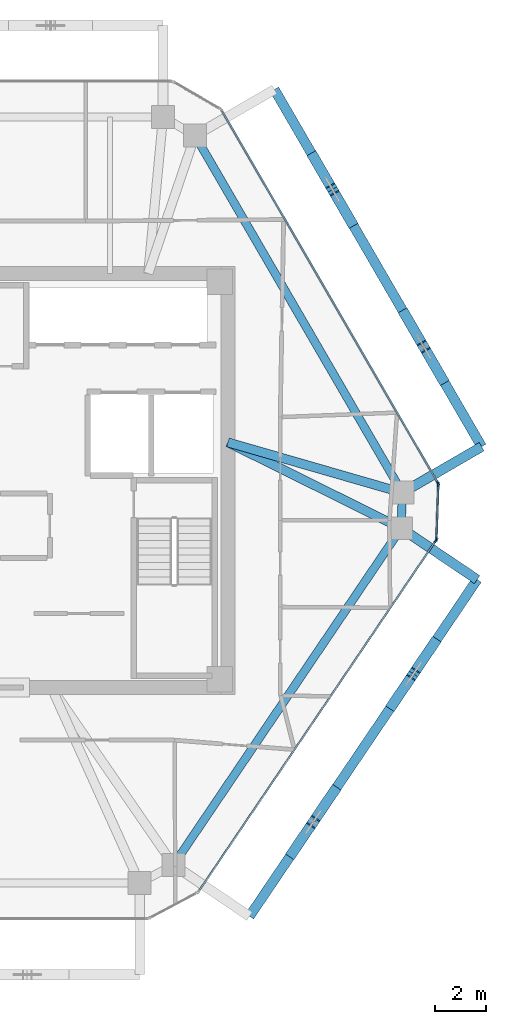
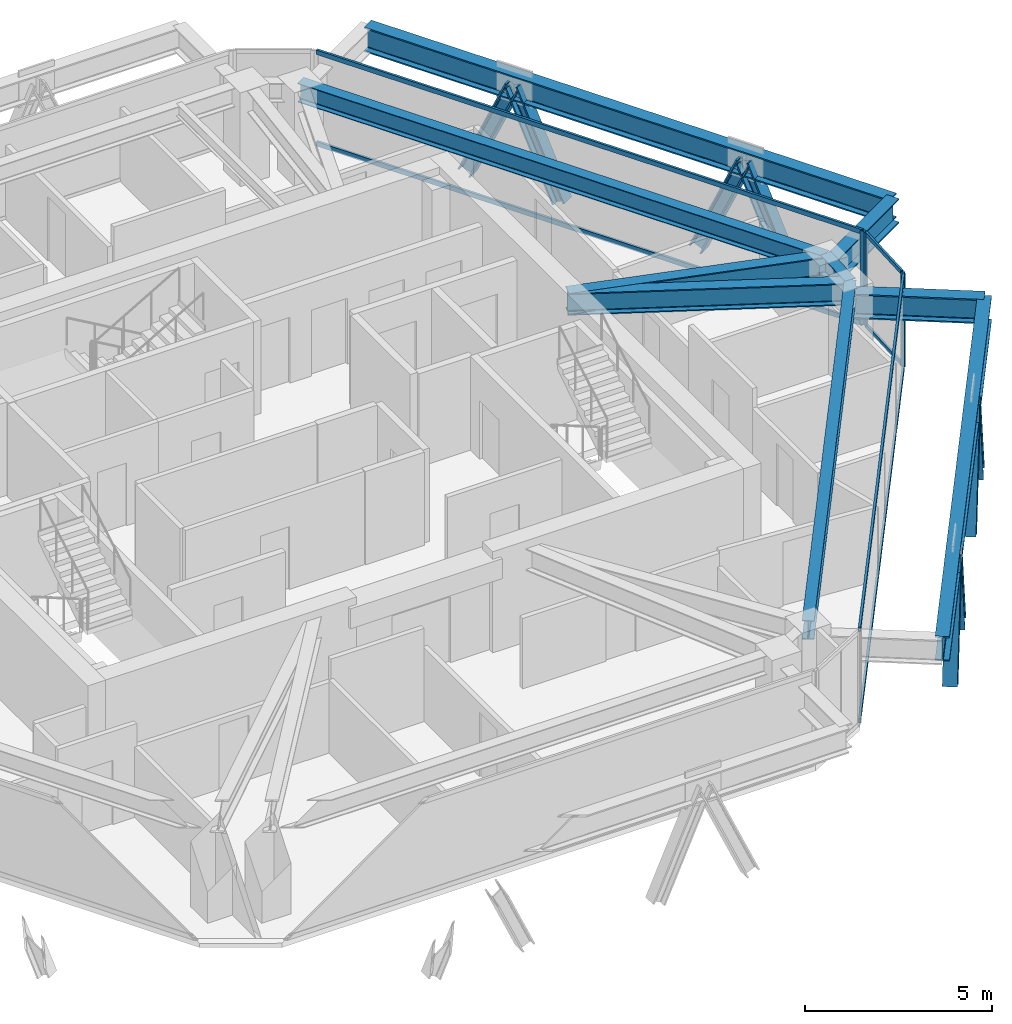
# One storey, part 5 of 13: 18 members, 9 beams, 3 elements without a shape of their own.
"""IFC4 building model written with IfcOpenShell, lengths in metres."""

from ifc_helpers import new_model, si_unit, direction, frame, origin, origin_2d, place, context, subcontext, project, spatial, rectangle, i_section, extrude, source, transform, mapped, material, layer, layer_set, material_profile, profile_set, type_object, type_shapes, element, aggregate, save


model = new_model("IFC4")

# Units and contexts
model_context = context("Model", 3, precision=1e-05, world=origin(), true_north=direction((0.0, 1.0)))
body_context = subcontext(model_context, "Body", "Model", "MODEL_VIEW")
ifc_project = project(units=[si_unit("LENGTHUNIT", "METRE"), si_unit("AREAUNIT", "SQUARE_METRE"), si_unit("VOLUMEUNIT", "CUBIC_METRE"), si_unit("PLANEANGLEUNIT", "RADIAN"), si_unit("MASSUNIT", "GRAM", prefix="KILO")], contexts=[model_context])

# Site, building, storey
site_placement = place(None, origin())
site = spatial("IfcSite", under=ifc_project, at=site_placement, CompositionType="ELEMENT")
building_placement = place(site_placement, origin())
building = spatial("IfcBuilding", under=site, at=building_placement, Name="Durnholm Broadcast Tower", CompositionType="ELEMENT")
storey_placement = place(building_placement, frame((0.0, 0.0, 228.199951171875)))
storey = spatial("IfcBuildingStorey", under=building, at=storey_placement, Name="L63", CompositionType="ELEMENT", Elevation=228.199951171875)

# Beams
ifc_material_1 = material(Name="Steel ASTM A992 Grade 50", Category="steel")
ifc_material_profile_1 = material_profile(ifc_material_1, i_section(OverallWidth=0.385009765625, OverallDepth=0.802978515625, WebThickness=0.023681640625, FlangeThickness=0.0419921875, FilletRadius=0.032958984375, at=origin_2d()), Name="W30X261")
ifc_profile_set_1 = profile_set([ifc_material_profile_1], Name="Steel ASTM A992 Grade 50")
beam_type_1 = type_object("IfcBeamType", Name="BM-EXO-TIE", PredefinedType="USERDEFINED", material=ifc_profile_set_1)
shared_shape_1 = source(origin(), body_context, "Body", "SweptSolid", [
    extrude(i_section(OverallWidth=0.385009765625, OverallDepth=0.802978515625, WebThickness=0.023681640625, FlangeThickness=0.0419921875, FilletRadius=0.032958984375, at=origin_2d()), origin(), (0.0, 0.0, 1.0), 3.4560546875),
])
beam_1_placement = place(storey_placement, frame((17.0947265625, -0.40380859375, 2.30859375), z_axis=(0.864924479231, 0.501902027518, 0.0), x_axis=(-0.501902027518, 0.864924479231, 0.0)))
element("IfcBeam", 1, at=beam_1_placement, inside=storey, type_object=beam_type_1, Name="L63 exoskeleton stand-off tie bracket F3.1", ObjectType="GIRDER", PredefinedType="USERDEFINED", context=body_context, shape_type="MappedRepresentation", body=[
    mapped(shared_shape_1, transform((0.0, 0.0, 0.0), x_axis=(1.0, 0.0, 0.0), y_axis=(0.0, 1.0, 0.0), z_axis=(0.0, 0.0, 1.0), scale=1.0)),
])
shared_shape_2 = source(origin(), body_context, "Body", "SweptSolid", [
    extrude(i_section(OverallWidth=0.385009765625, OverallDepth=0.802978515625, WebThickness=0.023681640625, FlangeThickness=0.0419921875, FilletRadius=0.032958984375, at=origin_2d()), origin(), (0.0, 0.0, 1.0), 3.455810546875),
])
beam_2_placement = place(storey_placement, frame((17.041748046875, -1.95068359375, 2.30859375), z_axis=(0.828446342252, -0.560068440469, 0.0), x_axis=(0.560068440469, 0.828446342252, 0.0)))
element("IfcBeam", 2, at=beam_2_placement, inside=storey, type_object=beam_type_1, Name="L63 exoskeleton stand-off tie bracket F2.2", ObjectType="GIRDER", PredefinedType="USERDEFINED", context=body_context, shape_type="MappedRepresentation", body=[
    mapped(shared_shape_2, transform((0.0, 0.0, 0.0), x_axis=(1.0, 0.0, 0.0), y_axis=(0.0, 1.0, 0.0), z_axis=(0.0, 0.0, 1.0), scale=1.0)),
])
ifc_material_profile_2 = material_profile(ifc_material_1, i_section(OverallWidth=0.3251953125, OverallDepth=0.6162109375, WebThickness=0.013916015625, FlangeThickness=0.021484375, FilletRadius=0.02783203125, at=origin_2d()), Name="W24X117")
ifc_profile_set_2 = profile_set([ifc_material_profile_2], Name="Steel ASTM A992 Grade 50")
beam_type_2 = type_object("IfcBeamType", Name="STL-SP-W24X117", PredefinedType="SPANDREL", material=ifc_profile_set_2)
shared_shape_3 = source(origin(), body_context, "Body", "SweptSolid", [
    extrude(i_section(OverallWidth=0.3251953125, OverallDepth=0.6162109375, WebThickness=0.013916015625, FlangeThickness=0.021484375, FilletRadius=0.02783203125, at=origin_2d()), origin(), (0.0, 0.0, 1.0), 1.39453125),
])
beam_3_placement = place(storey_placement, frame((16.97021484375, -0.47607421875, 2.737060546875), z_axis=(-0.034311541846, -0.999411185697, 0.0), x_axis=(0.999411185697, -0.034311541846, 0.0)))
element("IfcBeam", 3, at=beam_3_placement, inside=storey, type_object=beam_type_2, Name="L63 perimeter spandrel girder 08", PredefinedType="SPANDREL", context=body_context, shape_type="MappedRepresentation", body=[
    mapped(shared_shape_3, transform((0.0, 0.0, 0.0), x_axis=(1.0, 0.0, 0.0), y_axis=(0.0, 1.0, 0.0), z_axis=(0.0, 0.0, 1.0), scale=1.0)),
])
shared_shape_4 = source(origin(), body_context, "Body", "SweptSolid", [
    extrude(i_section(OverallWidth=0.3251953125, OverallDepth=0.6162109375, WebThickness=0.013916015625, FlangeThickness=0.021484375, FilletRadius=0.02783203125, at=origin_2d()), origin(), (0.0, 0.0, 1.0), 15.947265625),
])
beam_4_placement = place(storey_placement, frame((16.92236328125, -1.869873046875, 2.737060546875), z_axis=(-0.560062212489, -0.828450552623, 0.0), x_axis=(0.828450552623, -0.560062212489, 0.0)))
element("IfcBeam", 4, at=beam_4_placement, inside=storey, type_object=beam_type_2, Name="L63 perimeter spandrel girder 09", PredefinedType="SPANDREL", context=body_context, shape_type="MappedRepresentation", body=[
    mapped(shared_shape_4, transform((0.0, 0.0, 0.0), x_axis=(1.0, 0.0, 0.0), y_axis=(0.0, 1.0, 0.0), z_axis=(0.0, 0.0, 1.0), scale=1.0)),
])
shared_shape_5 = source(origin(), body_context, "Body", "SweptSolid", [
    extrude(i_section(OverallWidth=0.3251953125, OverallDepth=0.6162109375, WebThickness=0.013916015625, FlangeThickness=0.021484375, FilletRadius=0.02783203125, at=origin_2d()), origin(), (0.0, 0.0, 1.0), 16.20263671875),
])
type_shapes(beam_type_2, [shared_shape_3, shared_shape_4, shared_shape_5])
beam_5_placement = place(storey_placement, frame((8.83740234375, 13.53759765625, 2.737060546875), z_axis=(0.501943573333, -0.864900369516, 0.0), x_axis=(0.864900369516, 0.501943573333, 0.0)))
element("IfcBeam", 5, at=beam_5_placement, inside=storey, type_object=beam_type_2, Name="L63 perimeter spandrel girder 07", PredefinedType="SPANDREL", context=body_context, shape_type="MappedRepresentation", body=[
    mapped(shared_shape_5, transform((0.0, 0.0, 0.0), x_axis=(1.0, 0.0, 0.0), y_axis=(0.0, 1.0, 0.0), z_axis=(0.0, 0.0, 1.0), scale=1.0)),
])
shared_shape_6 = source(origin(), body_context, "Body", "SweptSolid", [
    extrude(i_section(OverallWidth=0.385009765625, OverallDepth=0.802978515625, WebThickness=0.023681640625, FlangeThickness=0.0419921875, FilletRadius=0.032958984375, at=origin_2d()), origin(), (0.0, 0.0, 1.0), 15.947021484375),
])
beam_6_placement = place(storey_placement, frame((10.973388671875, -17.097412109375, 2.30859375), z_axis=(0.560069315853, 0.828445750451, 0.0), x_axis=(-0.828445750451, 0.560069315853, 0.0)))
element("IfcBeam", 6, at=beam_6_placement, inside=storey, type_object=beam_type_1, Name="L63 exoskeleton collector spandrel F2", PredefinedType="SPANDREL", context=body_context, shape_type="MappedRepresentation", body=[
    mapped(shared_shape_6, transform((0.0, 0.0, 0.0), x_axis=(1.0, 0.0, 0.0), y_axis=(0.0, 1.0, 0.0), z_axis=(0.0, 0.0, 1.0), scale=1.0)),
])
shared_shape_7 = source(origin(), body_context, "Body", "SweptSolid", [
    extrude(i_section(OverallWidth=0.385009765625, OverallDepth=0.802978515625, WebThickness=0.023681640625, FlangeThickness=0.0419921875, FilletRadius=0.032958984375, at=origin_2d()), origin(), (0.0, 0.0, 1.0), 16.202880859375),
])
type_shapes(beam_type_1, [shared_shape_1, shared_shape_2, shared_shape_6, shared_shape_7])
beam_7_placement = place(storey_placement, frame((20.083984375, 1.330810546875, 2.30859375), z_axis=(-0.501948303381, 0.864897624423, 0.0), x_axis=(-0.864897624423, -0.501948303381, 0.0)))
element("IfcBeam", 7, at=beam_7_placement, inside=storey, type_object=beam_type_1, Name="L63 exoskeleton collector spandrel F3", PredefinedType="SPANDREL", context=body_context, shape_type="MappedRepresentation", body=[
    mapped(shared_shape_7, transform((0.0, 0.0, 0.0), x_axis=(1.0, 0.0, 0.0), y_axis=(0.0, 1.0, 0.0), z_axis=(0.0, 0.0, 1.0), scale=1.0)),
])
ifc_material_profile_3 = material_profile(ifc_material_1, i_section(OverallWidth=0.3564453125, OverallDepth=0.713623046875, WebThickness=0.01904296875, FlangeThickness=0.033935546875, FilletRadius=0.030517578125, at=origin_2d()), Name="W27X194")
ifc_profile_set_3 = profile_set([ifc_material_profile_3], Name="Steel ASTM A992 Grade 50")
beam_type_3 = type_object("IfcBeamType", Name="STL-GR-W27X194", PredefinedType="USERDEFINED", material=ifc_profile_set_3)
shared_shape_8 = source(origin(), body_context, "Body", "SweptSolid", [
    extrude(i_section(OverallWidth=0.3564453125, OverallDepth=0.713623046875, WebThickness=0.01904296875, FlangeThickness=0.033935546875, FilletRadius=0.030517578125, at=origin_2d()), origin(), (0.0, 0.0, 1.0), 7.124755859375),
])
beam_8_placement = place(storey_placement, frame((10.125, 1.5, 2.688232421875), z_axis=(0.960767767054, -0.277354101809, 0.0), x_axis=(0.277354101809, 0.960767767054, 0.0)))
element("IfcBeam", 8, at=beam_8_placement, inside=storey, type_object=beam_type_3, Name="L63 radial primary floor girder 08", ObjectType="GIRDER", PredefinedType="USERDEFINED", context=body_context, shape_type="MappedRepresentation", body=[
    mapped(shared_shape_8, transform((0.0, 0.0, 0.0), x_axis=(1.0, 0.0, 0.0), y_axis=(0.0, 1.0, 0.0), z_axis=(0.0, 0.0, 1.0), scale=1.0)),
])
shared_shape_9 = source(origin(), body_context, "Body", "SweptSolid", [
    extrude(i_section(OverallWidth=0.3564453125, OverallDepth=0.713623046875, WebThickness=0.01904296875, FlangeThickness=0.033935546875, FilletRadius=0.030517578125, at=origin_2d()), origin(), (0.0, 0.0, 1.0), 7.5869140625),
])
type_shapes(beam_type_3, [shared_shape_8, shared_shape_9])
beam_9_placement = place(storey_placement, frame((10.125, 1.5, 2.688232421875), z_axis=(0.895940903598, -0.444173273916, 0.0), x_axis=(0.444173273916, 0.895940903598, 0.0)))
element("IfcBeam", 9, at=beam_9_placement, inside=storey, type_object=beam_type_3, Name="L63 radial primary floor girder 09", ObjectType="GIRDER", PredefinedType="USERDEFINED", context=body_context, shape_type="MappedRepresentation", body=[
    mapped(shared_shape_9, transform((0.0, 0.0, 0.0), x_axis=(1.0, 0.0, 0.0), y_axis=(0.0, 1.0, 0.0), z_axis=(0.0, 0.0, 1.0), scale=1.0)),
])

# Members
ifc_material_2 = material(Name="Steel ASTM A913 Grade 65", Category="steel")
ifc_material_profile_4 = material_profile(ifc_material_2, i_section(OverallWidth=0.40625, OverallDepth=0.416015625, WebThickness=0.02978515625, FlangeThickness=0.048095703125, FilletRadius=0.030517578125, at=origin_2d()), Name="W14X257")
ifc_profile_set_4 = profile_set([ifc_material_profile_4], Name="Steel ASTM A913 Grade 65")
member_type_1 = type_object("IfcMemberType", Name="STL-DG-W14X257", PredefinedType="BRACE", material=ifc_profile_set_4)
shared_shape_10 = source(origin(), body_context, "Body", "SweptSolid", [
    extrude(i_section(OverallWidth=0.40625, OverallDepth=0.416015625, WebThickness=0.02978515625, FlangeThickness=0.048095703125, FilletRadius=0.030517578125, at=origin_2d()), origin(), (0.0, 0.0, 1.0), 3.60791015625),
])
type_shapes(member_type_1, [shared_shape_10])
for number, where, z_axis, x_axis, name in (
    (10, (12.657470703125, -14.6064453125, -0.991455078125), (0.226349134478, 0.334888450383, 0.914667040579), (-0.828505003222, 0.559981660089, 0.0), "L63 stand-off diagrid brace F2.D1.1"),
    (11, (14.290771484375, -12.190185546875, -0.991455078125), (-0.226354263477, -0.334828369412, 0.914687766641), (0.828452496411, -0.560059337206, 0.0), "L63 stand-off diagrid brace F2.D1.2"),
    (12, (16.58740234375, -8.79345703125, -0.991455078125), (0.226349134478, 0.334888450383, 0.914667040579), (-0.828505003222, 0.559981660089, 0.0), "L63 stand-off diagrid brace F2.D2.1"),
    (13, (18.220703125, -6.377197265625, -0.991455078125), (-0.226354263477, -0.334828369412, 0.914687766641), (0.828452496411, -0.560059337206, 0.0), "L63 stand-off diagrid brace F2.D2.2"),
    (14, (18.53857421875, 3.99365234375, -0.991455078125), (-0.202871189729, 0.349577240207, 0.914679743685), (-0.864906184135, -0.501933554014, 0.0), "L63 stand-off diagrid brace F3.D1.1"),
    (15, (17.07470703125, 6.51611328125, -0.991455078125), (0.202871189729, -0.349577240207, 0.914679743685), (0.864906184135, 0.501933554014, 0.0), "L63 stand-off diagrid brace F3.D1.2"),
    (16, (14.960205078125, 10.15966796875, -0.991455078125), (-0.202871189729, 0.349577240207, 0.914679743685), (-0.864906184135, -0.501933554014, 0.0), "L63 stand-off diagrid brace F3.D2.1"),
    (17, (13.496337890625, 12.681884765625, -0.991455078125), (0.202875988452, -0.349517838677, 0.914701379553), (0.864863994925, 0.502006245263, 0.0), "L63 stand-off diagrid brace F3.D2.2"),
):
    element("IfcMember", number, at=place(storey_placement, frame(where, z_axis=z_axis, x_axis=x_axis)), inside=storey, type_object=member_type_1, Name=name, PredefinedType="BRACE", context=body_context, shape_type="MappedRepresentation", body=[
        mapped(shared_shape_10, transform((0.0, 0.0, 0.0), x_axis=(1.0, 0.0, 0.0), y_axis=(0.0, 1.0, 0.0), z_axis=(0.0, 0.0, 1.0), scale=1.0)),
    ])

# Curtain wall, members
ifc_material_3 = material(Name="Aluminium and Solar Control IGU", Category="aluminium")
ifc_layer_1 = layer(ifc_material_3, 0.1650390625)
ifc_layer_set_1 = layer_set([ifc_layer_1], Name="Aluminium and Solar Control IGU")
curtain_wall_type_1 = type_object("IfcCurtainWallType", Name="CW-SYS-5", PredefinedType="NOTDEFINED", material=ifc_layer_set_1)
curtain_wall_1_placement = place(storey_placement, origin())
curtain_wall_1 = element("IfcCurtainWall", 18, at=curtain_wall_1_placement, inside=storey, type_object=curtain_wall_type_1, Name="L63 curtain wall CW-CORNER CW-L63-CRN-07", PredefinedType="NOTDEFINED")
ifc_material_4 = material(Name="Aluminium 6063-T6", Category="aluminium")
ifc_material_profile_5 = material_profile(ifc_material_4, rectangle(XDim=0.06494140625, YDim=0.1298828125, at=origin_2d()), Name="CWT65X130")
ifc_profile_set_5 = profile_set([ifc_material_profile_5], Name="Aluminium 6063-T6")
member_type_2 = type_object("IfcMemberType", Name="CW-SYS-5-TRN", PredefinedType="USERDEFINED", material=ifc_profile_set_5)
shared_shape_11 = source(origin(), body_context, "Body", "SweptSolid", [
    extrude(rectangle(XDim=0.06494140625, YDim=0.1298828125, at=origin_2d()), origin(), (0.0, 0.0, 1.0), 2.06982421875),
])
type_shapes(member_type_2, [shared_shape_11])
member_1_placement = place(storey_placement, frame((18.381103515625, -0.186767578125, 0.032470703125), z_axis=(-0.034324150719, -0.999410752733, 0.0), x_axis=(0.999410752733, -0.034324150719, 0.0)))
member_1 = element("IfcMember", 19, at=member_1_placement, type_object=member_type_2, Name="CW-CORNER transom 1.1", ObjectType="TRANSOM", PredefinedType="USERDEFINED", context=body_context, shape_type="MappedRepresentation", body=[
    mapped(shared_shape_11, transform((0.0, 0.0, 0.0), x_axis=(1.0, 0.0, 0.0), y_axis=(0.0, 1.0, 0.0), z_axis=(0.0, 0.0, 1.0), scale=1.0)),
])
member_2_placement = place(storey_placement, frame((18.381103515625, -0.186767578125, 3.027587890625), z_axis=(-0.034324150719, -0.999410752733, 0.0), x_axis=(0.999410752733, -0.034324150719, 0.0)))
member_2 = element("IfcMember", 20, at=member_2_placement, type_object=member_type_2, Name="CW-CORNER transom 1.2", ObjectType="TRANSOM", PredefinedType="USERDEFINED", context=body_context, shape_type="MappedRepresentation", body=[
    mapped(shared_shape_11, transform((0.0, 0.0, 0.0), x_axis=(1.0, 0.0, 0.0), y_axis=(0.0, 1.0, 0.0), z_axis=(0.0, 0.0, 1.0), scale=1.0)),
])
ifc_material_profile_6 = material_profile(ifc_material_4, rectangle(XDim=0.06494140625, YDim=0.1650390625, at=origin_2d()), Name="CWM65X165")
ifc_profile_set_6 = profile_set([ifc_material_profile_6], Name="Aluminium 6063-T6")
member_type_3 = type_object("IfcMemberType", Name="CW-SYS-5-MUL", PredefinedType="MULLION", material=ifc_profile_set_6)
shared_shape_12 = source(origin(), body_context, "Body", "SweptSolid", [
    extrude(rectangle(XDim=0.06494140625, YDim=0.1650390625, at=origin_2d()), origin(), (0.0, 0.0, 1.0), 3.06005859375),
])
type_shapes(member_type_3, [shared_shape_12])
member_3_placement = place(storey_placement, frame((18.382080078125, -0.154296875, 0.0), z_axis=(0.0, 0.0, 1.0), x_axis=(0.999410955514, -0.034318245849, 0.0)))
member_3 = element("IfcMember", 21, at=member_3_placement, type_object=member_type_3, Name="CW-CORNER mullion 1", PredefinedType="MULLION", context=body_context, shape_type="MappedRepresentation", body=[
    mapped(shared_shape_12, transform((0.0, 0.0, 0.0), x_axis=(1.0, 0.0, 0.0), y_axis=(0.0, 1.0, 0.0), z_axis=(0.0, 0.0, 1.0), scale=1.0)),
])
member_4_placement = place(storey_placement, frame((18.308837890625, -2.287841796875, 0.0), z_axis=(0.0, 0.0, 1.0), x_axis=(0.999410955514, -0.034318245849, 0.0)))
member_4 = element("IfcMember", 22, at=member_4_placement, type_object=member_type_3, Name="CW-CORNER mullion 2", PredefinedType="MULLION", context=body_context, shape_type="MappedRepresentation", body=[
    mapped(shared_shape_12, transform((0.0, 0.0, 0.0), x_axis=(1.0, 0.0, 0.0), y_axis=(0.0, 1.0, 0.0), z_axis=(0.0, 0.0, 1.0), scale=1.0)),
])
aggregate(curtain_wall_1, [member_3, member_4, member_1, member_2])

# Curtain wall, member
ifc_layer_2 = layer(ifc_material_3, 0.18994140625)
ifc_layer_set_2 = layer_set([ifc_layer_2], Name="Aluminium and Solar Control IGU")
curtain_wall_type_2 = type_object("IfcCurtainWallType", Name="CW-SYS-4", PredefinedType="NOTDEFINED", material=ifc_layer_set_2)
curtain_wall_2_placement = place(storey_placement, origin())
curtain_wall_2 = element("IfcCurtainWall", 23, at=curtain_wall_2_placement, inside=storey, type_object=curtain_wall_type_2, Name="L63 curtain wall CW-Z34-VIS CW-L63-F06", PredefinedType="NOTDEFINED")
ifc_material_profile_7 = material_profile(ifc_material_4, rectangle(XDim=0.070068359375, YDim=0.18994140625, at=origin_2d()), Name="CWM70X190")
ifc_profile_set_7 = profile_set([ifc_material_profile_7], Name="Aluminium 6063-T6")
member_type_4 = type_object("IfcMemberType", Name="CW-SYS-4-MUL", PredefinedType="MULLION", material=ifc_profile_set_7)
shared_shape_13 = source(origin(), body_context, "Body", "SweptSolid", [
    extrude(rectangle(XDim=0.070068359375, YDim=0.18994140625, at=origin_2d()), origin(), (0.0, 0.0, 1.0), 3.06005859375),
])
type_shapes(member_type_4, [shared_shape_13])
member_5_placement = place(storey_placement, frame((18.36572265625, -0.09130859375, 0.0), z_axis=(0.0, 0.0, 1.0), x_axis=(0.864899883824, 0.50194441023, 0.0)))
member_5 = element("IfcMember", 24, at=member_5_placement, type_object=member_type_4, Name="CW-Z34-VIS mullion 2", PredefinedType="MULLION", context=body_context, shape_type="MappedRepresentation", body=[
    mapped(shared_shape_13, transform((0.0, 0.0, 0.0), x_axis=(1.0, 0.0, 0.0), y_axis=(0.0, 1.0, 0.0), z_axis=(0.0, 0.0, 1.0), scale=1.0)),
])

# Curtain wall, members
curtain_wall_3_placement = place(storey_placement, origin())
curtain_wall_3 = element("IfcCurtainWall", 25, at=curtain_wall_3_placement, inside=storey, type_object=curtain_wall_type_2, Name="L63 curtain wall CW-Z34-VIS CW-L63-F08", PredefinedType="NOTDEFINED")
member_6_placement = place(storey_placement, frame((18.2880859375, -2.349365234375, 0.0), z_axis=(0.0, 0.0, 1.0), x_axis=(0.828443431662, -0.560072745753, 0.0)))
member_6 = element("IfcMember", 26, at=member_6_placement, type_object=member_type_4, Name="CW-Z34-VIS mullion 1", PredefinedType="MULLION", context=body_context, shape_type="MappedRepresentation", body=[
    mapped(shared_shape_13, transform((0.0, 0.0, 0.0), x_axis=(1.0, 0.0, 0.0), y_axis=(0.0, 1.0, 0.0), z_axis=(0.0, 0.0, 1.0), scale=1.0)),
])
ifc_material_profile_8 = material_profile(ifc_material_4, rectangle(XDim=0.070068359375, YDim=0.14990234375, at=origin_2d()), Name="CWT70X150")
ifc_profile_set_8 = profile_set([ifc_material_profile_8], Name="Aluminium 6063-T6")
member_type_5 = type_object("IfcMemberType", Name="CW-SYS-4-TRN", PredefinedType="USERDEFINED", material=ifc_profile_set_8)
shared_shape_14 = source(origin(), body_context, "Body", "SweptSolid", [
    extrude(rectangle(XDim=0.070068359375, YDim=0.14990234375, at=origin_2d()), origin(), (0.0, 0.0, 1.0), 16.55859375),
])
member_7_placement = place(storey_placement, frame((18.2685546875, -2.37841796875, 0.03515625), z_axis=(-0.560071338091, -0.828444383317, 0.0), x_axis=(0.828444383317, -0.560071338091, 0.0)))
member_7 = element("IfcMember", 27, at=member_7_placement, type_object=member_type_5, Name="CW-Z34-VIS transom 1.1", ObjectType="TRANSOM", PredefinedType="USERDEFINED", context=body_context, shape_type="MappedRepresentation", body=[
    mapped(shared_shape_14, transform((0.0, 0.0, 0.0), x_axis=(1.0, 0.0, 0.0), y_axis=(0.0, 1.0, 0.0), z_axis=(0.0, 0.0, 1.0), scale=1.0)),
])
member_8_placement = place(storey_placement, frame((18.2685546875, -2.37841796875, 3.025146484375), z_axis=(-0.560071338091, -0.828444383317, 0.0), x_axis=(0.828444383317, -0.560071338091, 0.0)))
member_8 = element("IfcMember", 28, at=member_8_placement, type_object=member_type_5, Name="CW-Z34-VIS transom 1.2", ObjectType="TRANSOM", PredefinedType="USERDEFINED", context=body_context, shape_type="MappedRepresentation", body=[
    mapped(shared_shape_14, transform((0.0, 0.0, 0.0), x_axis=(1.0, 0.0, 0.0), y_axis=(0.0, 1.0, 0.0), z_axis=(0.0, 0.0, 1.0), scale=1.0)),
])
aggregate(curtain_wall_3, [member_6, member_7, member_8])

# Member
shared_shape_15 = source(origin(), body_context, "Body", "SweptSolid", [
    extrude(rectangle(XDim=0.070068359375, YDim=0.14990234375, at=origin_2d()), origin(), (0.0, 0.0, 1.0), 16.83984375),
])
type_shapes(member_type_5, [shared_shape_14, shared_shape_15])
member_9_placement = place(storey_placement, frame((9.8955078125, 14.503662109375, 0.03515625), z_axis=(0.501945239029, -0.86489940283, 0.0), x_axis=(0.86489940283, 0.501945239029, 0.0)))
member_9 = element("IfcMember", 29, at=member_9_placement, type_object=member_type_5, Name="CW-Z34-VIS transom 1.1", ObjectType="TRANSOM", PredefinedType="USERDEFINED", context=body_context, shape_type="MappedRepresentation", body=[
    mapped(shared_shape_15, transform((0.0, 0.0, 0.0), x_axis=(1.0, 0.0, 0.0), y_axis=(0.0, 1.0, 0.0), z_axis=(0.0, 0.0, 1.0), scale=1.0)),
])

member_10_placement = place(storey_placement, frame((9.8955078125, 14.503662109375, 3.025146484375), z_axis=(0.501945239029, -0.86489940283, 0.0), x_axis=(0.86489940283, 0.501945239029, 0.0)))
member_10 = element("IfcMember", 30, at=member_10_placement, type_object=member_type_5, Name="CW-Z34-VIS transom 1.2", ObjectType="TRANSOM", PredefinedType="USERDEFINED", context=body_context, shape_type="MappedRepresentation", body=[
    mapped(shared_shape_15, transform((0.0, 0.0, 0.0), x_axis=(1.0, 0.0, 0.0), y_axis=(0.0, 1.0, 0.0), z_axis=(0.0, 0.0, 1.0), scale=1.0)),
])

aggregate(curtain_wall_2, [member_5, member_9, member_10])

save(model, "model.ifc")
